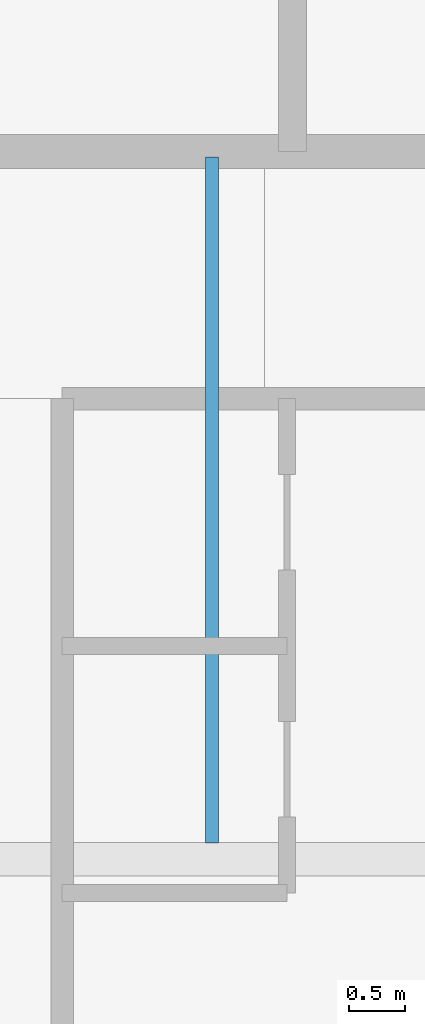
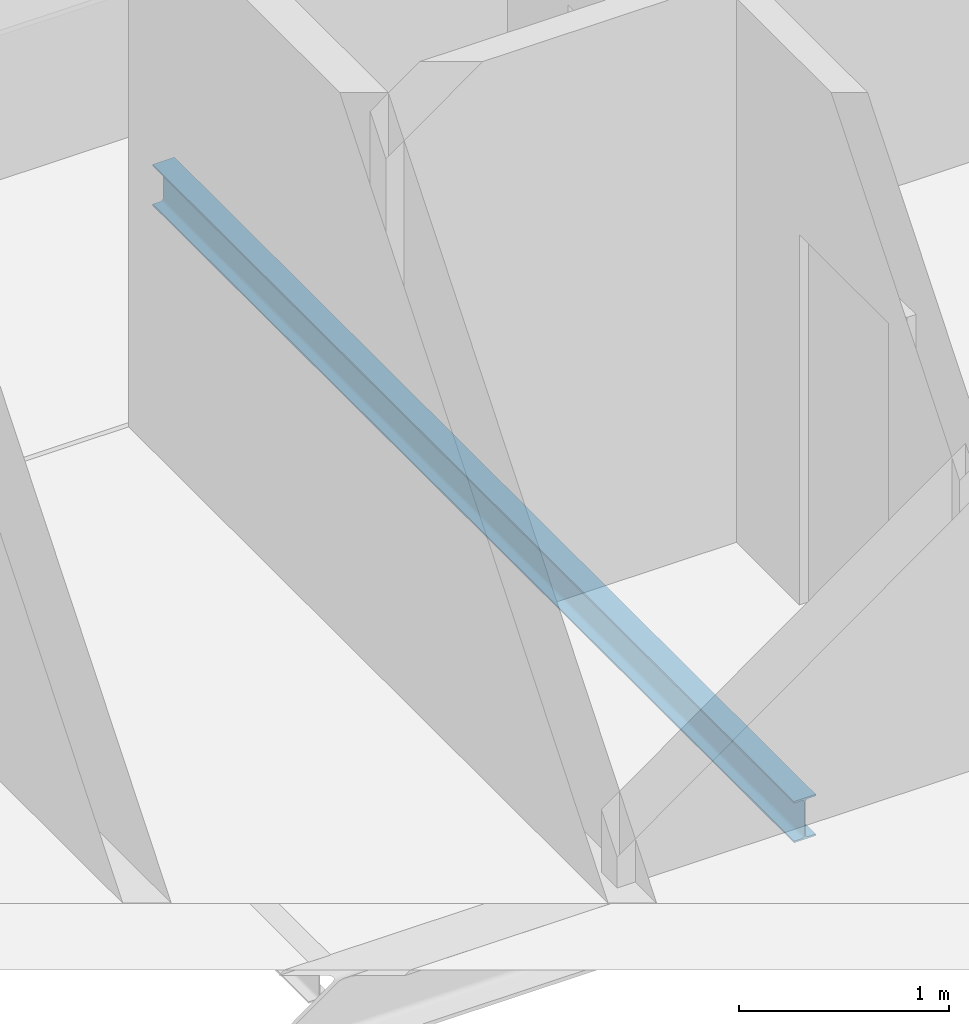
# One storey, part 8 of 17: 1 beam.
"""IFC4 building model written with IfcOpenShell, lengths in metres."""

from ifc_helpers import new_model, si_unit, direction, frame, origin, origin_2d, place, context, subcontext, project, spatial, i_section, extrude, material, material_profile, profile_set, type_object, element, save


model = new_model("IFC4")

# Units and contexts
model_context = context("Model", 3, precision=1e-05, world=origin(), true_north=direction((0.0, 1.0)))
body_context = subcontext(model_context, "Body", "Model", "MODEL_VIEW")
ifc_project = project(units=[si_unit("LENGTHUNIT", "METRE"), si_unit("AREAUNIT", "SQUARE_METRE"), si_unit("VOLUMEUNIT", "CUBIC_METRE"), si_unit("PLANEANGLEUNIT", "RADIAN"), si_unit("MASSUNIT", "GRAM", prefix="KILO")], contexts=[model_context])

# Site, building, storey
site_placement = place(None, origin())
site = spatial("IfcSite", under=ifc_project, at=site_placement, CompositionType="ELEMENT")
building_placement = place(site_placement, origin())
building = spatial("IfcBuilding", under=site, at=building_placement, Name="Catumbela Crestline Tower", CompositionType="ELEMENT")
storey_placement = place(building_placement, frame((0.0, 0.0, 267.8)))
storey = spatial("IfcBuildingStorey", under=building, at=storey_placement, Name="L69", CompositionType="ELEMENT", Elevation=267.8)

# Beam
ifc_material = material(Name="Structural steel S355J2", Category="steel")
ifc_material_profile = material_profile(ifc_material, i_section(OverallWidth=0.12, OverallDepth=0.24, WebThickness=0.0062, FlangeThickness=0.0098, FilletRadius=0.015, at=origin_2d()), Name="IPE 240")
ifc_profile_set = profile_set([ifc_material_profile], Name="Structural steel S355J2")
beam_type = type_object("IfcBeamType", Name="BJ-IPE240", PredefinedType="JOIST", material=ifc_profile_set)
beam_placement = place(storey_placement, frame((21.333, 24.647, -0.38), z_axis=(0.0, 1.0, 0.0), x_axis=(-1.0, 0.0, 0.0)))
element("IfcBeam", 1, at=beam_placement, inside=storey, type_object=beam_type, Name="L69 Joist JS-L69-SP13", PredefinedType="JOIST", context=body_context, shape_type="SweptSolid", body=[
    extrude(i_section(OverallWidth=0.12, OverallDepth=0.24, WebThickness=0.0062, FlangeThickness=0.0098, FilletRadius=0.015, at=origin_2d()), origin(), (0.0, 0.0, 1.0), 6.103),
])

save(model, "model.ifc")
